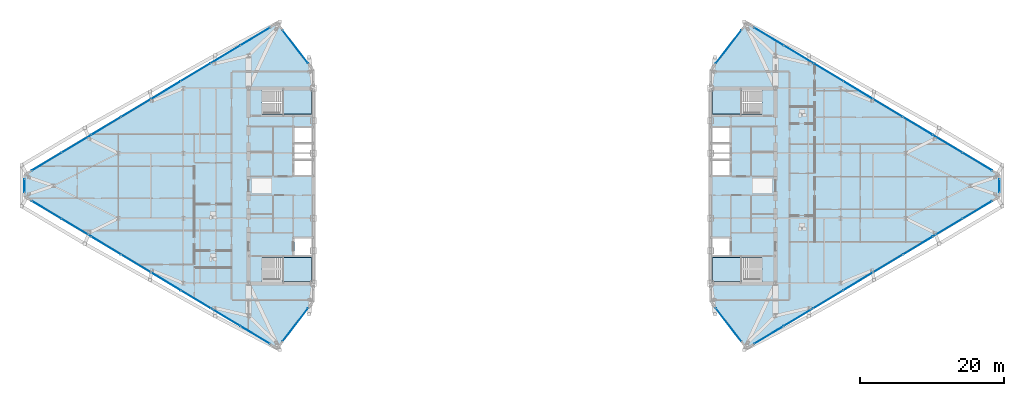
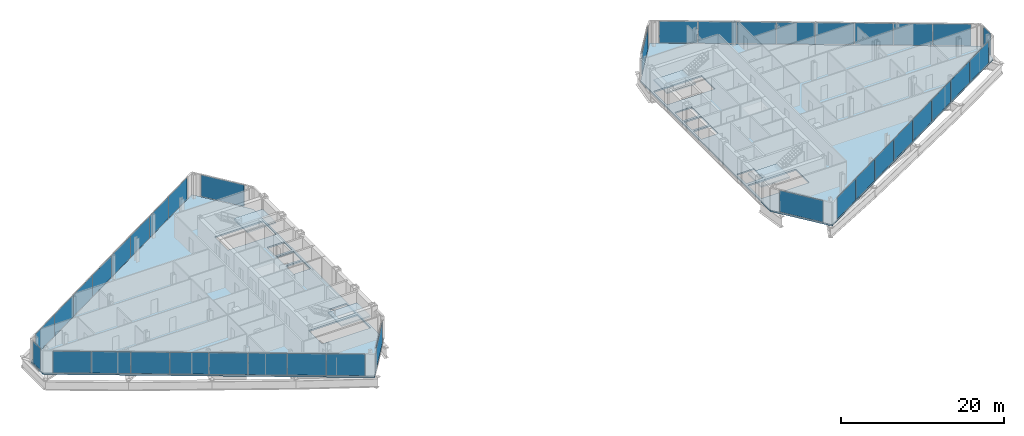
# One storey, part 20 of 29: 38 plates, 6 slabs, 14 elements without a shape of their own.
"""IFC4 building model written with IfcOpenShell, lengths in metres."""

from ifc_helpers import new_model, si_unit, direction, frame, origin, origin_2d, place, context, subcontext, project, spatial, polyline, rectangle, outline, extrude, source, transform, mapped, material, layer, layer_set, type_object, type_shapes, element, aggregate, save


model = new_model("IFC4")

# Units and contexts
model_context = context("Model", 3, precision=1e-05, world=origin(), true_north=direction((0.0, 1.0)))
body_context = subcontext(model_context, "Body", "Model", "MODEL_VIEW")
ifc_project = project(units=[si_unit("LENGTHUNIT", "METRE"), si_unit("AREAUNIT", "SQUARE_METRE"), si_unit("VOLUMEUNIT", "CUBIC_METRE"), si_unit("PLANEANGLEUNIT", "RADIAN"), si_unit("MASSUNIT", "GRAM", prefix="KILO")], contexts=[model_context])

# Site, building, storey
site_placement = place(None, origin())
site = spatial("IfcSite", under=ifc_project, at=site_placement, CompositionType="ELEMENT")
building_placement = place(site_placement, origin())
building = spatial("IfcBuilding", under=site, at=building_placement, Name="Seokmaru Belvedere", CompositionType="ELEMENT")
storey_placement = place(building_placement, frame((0.0, 0.0, 195.89990234375)))
storey = spatial("IfcBuildingStorey", under=building, at=storey_placement, Name="L52", CompositionType="ELEMENT", Elevation=195.89990234375)

# Stair, slab
ifc_material_1 = material(Name="Concrete C40 (40 MPa)", Category="concrete")
stair_type = type_object("IfcStairType", Name="Typical Tower Core Dog-Leg Stair 3600", PredefinedType="TWO_STRAIGHT_RUN_STAIR", material=ifc_material_1)
stair_1_placement = place(storey_placement, origin())
stair_1 = element("IfcStair", 1, at=stair_1_placement, inside=storey, type_object=stair_type, Name="L52 Special Escape Stair ST-W1", PredefinedType="TWO_STRAIGHT_RUN_STAIR")
ifc_layer_1 = layer(ifc_material_1, 0.199951171875)
ifc_layer_set_1 = layer_set([ifc_layer_1], Name="Concrete C40 (40 MPa)")
slab_type_1 = type_object("IfcSlabType", Name="Reinforced Concrete Stair Landing Slab 200", PredefinedType="LANDING", material=ifc_layer_set_1)
slab_1_placement = place(storey_placement, frame((0.0, 0.0, 1.60009765625)))
slab_1 = element("IfcSlab", 2, at=slab_1_placement, type_object=slab_type_1, Name="ST-W1 landing 1", PredefinedType="LANDING", context=body_context, shape_type="SweptSolid", body=[
    extrude(outline(polyline([(-31.8798828125, -13.239990234375), (-27.760009765625, -13.239990234375), (-27.760009765625, -9.949951171875), (-31.8798828125, -9.949951171875), (-31.8798828125, -13.239990234375)])), origin(), (0.0, 0.0, 1.0), 0.199951171875),
])
aggregate(stair_1, [slab_1])

stair_2_placement = place(storey_placement, origin())
stair_2 = element("IfcStair", 3, at=stair_2_placement, inside=storey, type_object=stair_type, Name="L52 Special Escape Stair ST-W2", PredefinedType="TWO_STRAIGHT_RUN_STAIR")
slab_2_placement = place(storey_placement, frame((0.0, 0.0, 1.60009765625)))
slab_2 = element("IfcSlab", 4, at=slab_2_placement, type_object=slab_type_1, Name="ST-W2 landing 1", PredefinedType="LANDING", context=body_context, shape_type="SweptSolid", body=[
    extrude(outline(polyline([(-31.8798828125, 9.949951171875), (-27.760009765625, 9.949951171875), (-27.760009765625, 13.239990234375), (-31.8798828125, 13.239990234375), (-31.8798828125, 9.949951171875)])), origin(), (0.0, 0.0, 1.0), 0.199951171875),
])
aggregate(stair_2, [slab_2])

stair_3_placement = place(storey_placement, origin())
stair_3 = element("IfcStair", 5, at=stair_3_placement, inside=storey, type_object=stair_type, Name="L52 Special Escape Stair ST-E1", PredefinedType="TWO_STRAIGHT_RUN_STAIR")
slab_3_placement = place(storey_placement, frame((0.0, 0.0, 1.60009765625)))
slab_3 = element("IfcSlab", 6, at=slab_3_placement, type_object=slab_type_1, Name="ST-E1 landing 1", PredefinedType="LANDING", context=body_context, shape_type="SweptSolid", body=[
    extrude(outline(polyline([(27.760009765625, -13.239990234375), (31.8798828125, -13.239990234375), (31.8798828125, -9.949951171875), (27.760009765625, -9.949951171875), (27.760009765625, -13.239990234375)])), origin(), (0.0, 0.0, 1.0), 0.199951171875),
])
aggregate(stair_3, [slab_3])

stair_4_placement = place(storey_placement, origin())
stair_4 = element("IfcStair", 7, at=stair_4_placement, inside=storey, type_object=stair_type, Name="L52 Special Escape Stair ST-E2", PredefinedType="TWO_STRAIGHT_RUN_STAIR")
slab_4_placement = place(storey_placement, frame((0.0, 0.0, 1.60009765625)))
slab_4 = element("IfcSlab", 8, at=slab_4_placement, type_object=slab_type_1, Name="ST-E2 landing 1", PredefinedType="LANDING", context=body_context, shape_type="SweptSolid", body=[
    extrude(outline(polyline([(27.760009765625, 9.949951171875), (31.8798828125, 9.949951171875), (31.8798828125, 13.239990234375), (27.760009765625, 13.239990234375), (27.760009765625, 9.949951171875)])), origin(), (0.0, 0.0, 1.0), 0.199951171875),
])
aggregate(stair_4, [slab_4])

# Slabs
ifc_layer_2 = layer(ifc_material_1, 0.219970703125)
ifc_layer_set_2 = layer_set([ifc_layer_2], Name="Concrete C40 (40 MPa)")
slab_type_2 = type_object("IfcSlabType", Name="Typical Tower Composite Floor Slab 220", PredefinedType="FLOOR", material=ifc_layer_set_2)
slab_5_placement = place(storey_placement, frame((0.0, 0.0, -0.219970703125)))
element("IfcSlab", 9, at=slab_5_placement, inside=storey, type_object=slab_type_2, Name="L52 West Leg Floor Slab", PredefinedType="FLOOR", context=body_context, shape_type="SweptSolid", body=[
    extrude(outline(polyline([(-27.5, -16.0), (-27.5, 16.0), (-32.5, 22.5), (-67.5, 1.5), (-67.5, -1.5), (-32.5, -22.5), (-27.5, -16.0)]), holes=[polyline([(-34.60009765625, -13.25), (-27.75, -13.25), (-27.75, -9.949951171875), (-34.60009765625, -9.949951171875), (-34.60009765625, -13.25)]), polyline([(-34.60009765625, 9.949951171875), (-27.75, 9.949951171875), (-27.75, 13.25), (-34.60009765625, 13.25), (-34.60009765625, 9.949951171875)]), polyline([(-30.14990234375, -9.550048828125), (-27.75, -9.550048828125), (-27.75, -7.25), (-30.14990234375, -7.25), (-30.14990234375, -9.550048828125)]), polyline([(-30.14990234375, 1.449951171875), (-27.75, 1.449951171875), (-27.75, 3.449951171875), (-30.14990234375, 3.449951171875), (-30.14990234375, 1.449951171875)]), polyline([(-30.14990234375, 3.75), (-27.75, 3.75), (-27.75, 5.75), (-30.14990234375, 5.75), (-30.14990234375, 3.75)]), polyline([(-30.14990234375, 6.050048828125), (-27.75, 6.050048828125), (-27.75, 8.050048828125), (-30.14990234375, 8.050048828125), (-30.14990234375, 6.050048828125)])]), origin(), (0.0, 0.0, 1.0), 0.219970703125),
])
slab_6_placement = place(storey_placement, frame((0.0, 0.0, -0.219970703125)))
element("IfcSlab", 10, at=slab_6_placement, inside=storey, type_object=slab_type_2, Name="L52 East Leg Floor Slab", PredefinedType="FLOOR", context=body_context, shape_type="SweptSolid", body=[
    extrude(outline(polyline([(32.5, -22.5), (67.5, -1.5), (67.5, 1.5), (32.5, 22.5), (27.5, 16.0), (27.5, -16.0), (32.5, -22.5)]), holes=[polyline([(27.75, -13.25), (34.60009765625, -13.25), (34.60009765625, -9.949951171875), (27.75, -9.949951171875), (27.75, -13.25)]), polyline([(27.75, 9.949951171875), (34.60009765625, 9.949951171875), (34.60009765625, 13.25), (27.75, 13.25), (27.75, 9.949951171875)]), polyline([(27.75, -9.550048828125), (30.14990234375, -9.550048828125), (30.14990234375, -7.25), (27.75, -7.25), (27.75, -9.550048828125)]), polyline([(27.75, 1.449951171875), (30.14990234375, 1.449951171875), (30.14990234375, 3.449951171875), (27.75, 3.449951171875), (27.75, 1.449951171875)]), polyline([(27.75, 3.75), (30.14990234375, 3.75), (30.14990234375, 5.75), (27.75, 5.75), (27.75, 3.75)]), polyline([(27.75, 6.050048828125), (30.14990234375, 6.050048828125), (30.14990234375, 8.050048828125), (27.75, 8.050048828125), (27.75, 6.050048828125)])]), origin(), (0.0, 0.0, 1.0), 0.219970703125),
])

# Curtain wall, plate
ifc_material_2 = material(Name="Bronze Triple Insulating Glass", Category="glass")
ifc_layer_3 = layer(ifc_material_2, 0.179931640625)
ifc_layer_set_3 = layer_set([ifc_layer_3], Name="Bronze Triple Insulating Glass")
curtain_wall_type = type_object("IfcCurtainWallType", Name="High-Rise Wind-Corner Curtain Wall System CW-5", PredefinedType="NOTDEFINED", material=ifc_layer_set_3)
curtain_wall_1_placement = place(storey_placement, origin())
curtain_wall_1 = element("IfcCurtainWall", 11, at=curtain_wall_1_placement, inside=storey, type_object=curtain_wall_type, Name="L52 Curtain Wall WF2", PredefinedType="NOTDEFINED")
ifc_layer_4 = layer(ifc_material_2, 0.035888671875)
ifc_layer_set_4 = layer_set([ifc_layer_4], Name="Bronze Triple Insulating Glass")
plate_type = type_object("IfcPlateType", Name="Bronze Triple Vision Glazing Panel 36", PredefinedType="CURTAIN_PANEL", material=ifc_layer_set_4)
shared_shape_1 = source(origin(), body_context, "Body", "SweptSolid", [
    extrude(rectangle(XDim=5.7705078125, YDim=0.035888671875, at=origin_2d()), origin(), (0.0, 0.0, 1.0), 3.25),
])
plate_1_placement = place(storey_placement, frame((-30.0, 19.25, 0.065185546875), z_axis=(0.0, 0.0, 1.0), x_axis=(-0.609701187349, 0.792631353244, 0.0)))
plate_1 = element("IfcPlate", 12, at=plate_1_placement, type_object=plate_type, Name="CW:L52:WF2 Glazing Panel 1-1", PredefinedType="CURTAIN_PANEL", context=body_context, shape_type="MappedRepresentation", body=[
    mapped(shared_shape_1, transform((0.0, 0.0, 0.0), scale=1.0)),
])
aggregate(curtain_wall_1, [plate_1])

curtain_wall_2_placement = place(storey_placement, origin())
curtain_wall_2 = element("IfcCurtainWall", 13, at=curtain_wall_2_placement, inside=storey, type_object=curtain_wall_type, Name="L52 Curtain Wall WF6", PredefinedType="NOTDEFINED")
plate_2_placement = place(storey_placement, frame((-30.0, -19.25, 0.065185546875), z_axis=(0.0, 0.0, 1.0), x_axis=(0.609701187349, 0.792631353244, 0.0)))
plate_2 = element("IfcPlate", 14, at=plate_2_placement, type_object=plate_type, Name="CW:L52:WF6 Glazing Panel 1-1", PredefinedType="CURTAIN_PANEL", context=body_context, shape_type="MappedRepresentation", body=[
    mapped(shared_shape_1, transform((0.0, 0.0, 0.0), scale=1.0)),
])
aggregate(curtain_wall_2, [plate_2])

curtain_wall_3_placement = place(storey_placement, origin())
curtain_wall_3 = element("IfcCurtainWall", 15, at=curtain_wall_3_placement, inside=storey, type_object=curtain_wall_type, Name="L52 Curtain Wall EF4", PredefinedType="NOTDEFINED")
plate_3_placement = place(storey_placement, frame((30.0, 19.25, 0.065185546875), z_axis=(0.0, 0.0, 1.0), x_axis=(-0.609701187349, -0.792631353244, 0.0)))
plate_3 = element("IfcPlate", 16, at=plate_3_placement, type_object=plate_type, Name="CW:L52:EF4 Glazing Panel 1-1", PredefinedType="CURTAIN_PANEL", context=body_context, shape_type="MappedRepresentation", body=[
    mapped(shared_shape_1, transform((0.0, 0.0, 0.0), scale=1.0)),
])
aggregate(curtain_wall_3, [plate_3])

curtain_wall_4_placement = place(storey_placement, origin())
curtain_wall_4 = element("IfcCurtainWall", 17, at=curtain_wall_4_placement, inside=storey, type_object=curtain_wall_type, Name="L52 Curtain Wall EF6", PredefinedType="NOTDEFINED")
plate_4_placement = place(storey_placement, frame((30.0, -19.25, 0.065185546875), z_axis=(0.0, 0.0, 1.0), x_axis=(0.609701187349, -0.792631353244, 0.0)))
plate_4 = element("IfcPlate", 18, at=plate_4_placement, type_object=plate_type, Name="CW:L52:EF6 Glazing Panel 1-1", PredefinedType="CURTAIN_PANEL", context=body_context, shape_type="MappedRepresentation", body=[
    mapped(shared_shape_1, transform((0.0, 0.0, 0.0), scale=1.0)),
])
aggregate(curtain_wall_4, [plate_4])

# Curtain wall, plates
curtain_wall_5_placement = place(storey_placement, origin())
curtain_wall_5 = element("IfcCurtainWall", 19, at=curtain_wall_5_placement, inside=storey, type_object=curtain_wall_type, Name="L52 Curtain Wall WF3", PredefinedType="NOTDEFINED")
shared_shape_2 = source(origin(), body_context, "Body", "SweptSolid", [
    extrude(rectangle(XDim=4.717041015625, YDim=0.035888671875, at=origin_2d()), origin(), (0.0, 0.0, 1.0), 3.25),
])
plate_5_placement = place(storey_placement, frame((-35.564208984375, 20.661376953125, 0.065185546875), z_axis=(0.0, 0.0, 1.0), x_axis=(-0.85749343335, -0.514494909364, 0.0)))
plate_5 = element("IfcPlate", 20, at=plate_5_placement, type_object=plate_type, Name="CW:L52:WF3 Glazing Panel 1-1", PredefinedType="CURTAIN_PANEL", context=body_context, shape_type="MappedRepresentation", body=[
    mapped(shared_shape_2, transform((0.0, 0.0, 0.0), scale=1.0)),
])
plate_6_placement = place(storey_placement, frame((-64.435791015625, 3.338623046875, 0.065185546875), z_axis=(0.0, 0.0, 1.0), x_axis=(-0.85749343335, -0.514494909364, 0.0)))
plate_6 = element("IfcPlate", 21, at=plate_6_placement, type_object=plate_type, Name="CW:L52:WF3 Glazing Panel 8-1", PredefinedType="CURTAIN_PANEL", context=body_context, shape_type="MappedRepresentation", body=[
    mapped(shared_shape_2, transform((0.0, 0.0, 0.0), scale=1.0)),
])

curtain_wall_6_placement = place(storey_placement, origin())
curtain_wall_6 = element("IfcCurtainWall", 22, at=curtain_wall_6_placement, inside=storey, type_object=curtain_wall_type, Name="L52 Curtain Wall WF5", PredefinedType="NOTDEFINED")
plate_7_placement = place(storey_placement, frame((-64.435791015625, -3.338623046875, 0.065185546875), z_axis=(0.0, 0.0, 1.0), x_axis=(0.85749343335, -0.514494909364, 0.0)))
plate_7 = element("IfcPlate", 23, at=plate_7_placement, type_object=plate_type, Name="CW:L52:WF5 Glazing Panel 1-1", PredefinedType="CURTAIN_PANEL", context=body_context, shape_type="MappedRepresentation", body=[
    mapped(shared_shape_2, transform((0.0, 0.0, 0.0), scale=1.0)),
])
plate_8_placement = place(storey_placement, frame((-35.564208984375, -20.661376953125, 0.065185546875), z_axis=(0.0, 0.0, 1.0), x_axis=(0.85749343335, -0.514494909364, 0.0)))
plate_8 = element("IfcPlate", 24, at=plate_8_placement, type_object=plate_type, Name="CW:L52:WF5 Glazing Panel 8-1", PredefinedType="CURTAIN_PANEL", context=body_context, shape_type="MappedRepresentation", body=[
    mapped(shared_shape_2, transform((0.0, 0.0, 0.0), scale=1.0)),
])

curtain_wall_7_placement = place(storey_placement, origin())
curtain_wall_7 = element("IfcCurtainWall", 25, at=curtain_wall_7_placement, inside=storey, type_object=curtain_wall_type, Name="L52 Curtain Wall EF1", PredefinedType="NOTDEFINED")
plate_9_placement = place(storey_placement, frame((35.564208984375, -20.661376953125, 0.065185546875), z_axis=(0.0, 0.0, 1.0), x_axis=(0.85749343335, 0.514494909364, 0.0)))
plate_9 = element("IfcPlate", 26, at=plate_9_placement, type_object=plate_type, Name="CW:L52:EF1 Glazing Panel 1-1", PredefinedType="CURTAIN_PANEL", context=body_context, shape_type="MappedRepresentation", body=[
    mapped(shared_shape_2, transform((0.0, 0.0, 0.0), scale=1.0)),
])
plate_10_placement = place(storey_placement, frame((64.435791015625, -3.338623046875, 0.065185546875), z_axis=(0.0, 0.0, 1.0), x_axis=(0.85749343335, 0.514494909364, 0.0)))
plate_10 = element("IfcPlate", 27, at=plate_10_placement, type_object=plate_type, Name="CW:L52:EF1 Glazing Panel 8-1", PredefinedType="CURTAIN_PANEL", context=body_context, shape_type="MappedRepresentation", body=[
    mapped(shared_shape_2, transform((0.0, 0.0, 0.0), scale=1.0)),
])

curtain_wall_8_placement = place(storey_placement, origin())
curtain_wall_8 = element("IfcCurtainWall", 28, at=curtain_wall_8_placement, inside=storey, type_object=curtain_wall_type, Name="L52 Curtain Wall EF3", PredefinedType="NOTDEFINED")
plate_11_placement = place(storey_placement, frame((64.435791015625, 3.338623046875, 0.065185546875), z_axis=(0.0, 0.0, 1.0), x_axis=(-0.85749343335, 0.514494909364, 0.0)))
plate_11 = element("IfcPlate", 29, at=plate_11_placement, type_object=plate_type, Name="CW:L52:EF3 Glazing Panel 1-1", PredefinedType="CURTAIN_PANEL", context=body_context, shape_type="MappedRepresentation", body=[
    mapped(shared_shape_2, transform((0.0, 0.0, 0.0), scale=1.0)),
])
plate_12_placement = place(storey_placement, frame((35.564208984375, 20.661376953125, 0.065185546875), z_axis=(0.0, 0.0, 1.0), x_axis=(-0.85749343335, 0.514494909364, 0.0)))
plate_12 = element("IfcPlate", 30, at=plate_12_placement, type_object=plate_type, Name="CW:L52:EF3 Glazing Panel 8-1", PredefinedType="CURTAIN_PANEL", context=body_context, shape_type="MappedRepresentation", body=[
    mapped(shared_shape_2, transform((0.0, 0.0, 0.0), scale=1.0)),
])

# Plate
shared_shape_3 = source(origin(), body_context, "Body", "SweptSolid", [
    extrude(rectangle(XDim=4.74951171875, YDim=0.035888671875, at=origin_2d()), origin(), (0.0, 0.0, 1.0), 3.25),
])
plate_13_placement = place(storey_placement, frame((-39.6787109375, 18.192626953125, 0.065185546875), z_axis=(0.0, 0.0, 1.0), x_axis=(-0.85749343335, -0.514494909364, 0.0)))
plate_13 = element("IfcPlate", 31, at=plate_13_placement, type_object=plate_type, Name="CW:L52:WF3 Glazing Panel 2-1", PredefinedType="CURTAIN_PANEL", context=body_context, shape_type="MappedRepresentation", body=[
    mapped(shared_shape_3, transform((0.0, 0.0, 0.0), scale=1.0)),
])

plate_14_placement = place(storey_placement, frame((-43.807373046875, 15.715576171875, 0.065185546875), z_axis=(0.0, 0.0, 1.0), x_axis=(-0.85749343335, -0.514494909364, 0.0)))
plate_14 = element("IfcPlate", 32, at=plate_14_placement, type_object=plate_type, Name="CW:L52:WF3 Glazing Panel 3-1", PredefinedType="CURTAIN_PANEL", context=body_context, shape_type="MappedRepresentation", body=[
    mapped(shared_shape_3, transform((0.0, 0.0, 0.0), scale=1.0)),
])

plate_15_placement = place(storey_placement, frame((-47.935791015625, 13.238525390625, 0.065185546875), z_axis=(0.0, 0.0, 1.0), x_axis=(-0.85749343335, -0.514494909364, 0.0)))
plate_15 = element("IfcPlate", 33, at=plate_15_placement, type_object=plate_type, Name="CW:L52:WF3 Glazing Panel 4-1", PredefinedType="CURTAIN_PANEL", context=body_context, shape_type="MappedRepresentation", body=[
    mapped(shared_shape_3, transform((0.0, 0.0, 0.0), scale=1.0)),
])

plate_16_placement = place(storey_placement, frame((-52.064208984375, 10.761474609375, 0.065185546875), z_axis=(0.0, 0.0, 1.0), x_axis=(-0.85749343335, -0.514494909364, 0.0)))
plate_16 = element("IfcPlate", 34, at=plate_16_placement, type_object=plate_type, Name="CW:L52:WF3 Glazing Panel 5-1", PredefinedType="CURTAIN_PANEL", context=body_context, shape_type="MappedRepresentation", body=[
    mapped(shared_shape_3, transform((0.0, 0.0, 0.0), scale=1.0)),
])

plate_17_placement = place(storey_placement, frame((-56.192626953125, 8.284423828125, 0.065185546875), z_axis=(0.0, 0.0, 1.0), x_axis=(-0.85749343335, -0.514494909364, 0.0)))
plate_17 = element("IfcPlate", 35, at=plate_17_placement, type_object=plate_type, Name="CW:L52:WF3 Glazing Panel 6-1", PredefinedType="CURTAIN_PANEL", context=body_context, shape_type="MappedRepresentation", body=[
    mapped(shared_shape_3, transform((0.0, 0.0, 0.0), scale=1.0)),
])

plate_18_placement = place(storey_placement, frame((-60.3212890625, 5.807373046875, 0.065185546875), z_axis=(0.0, 0.0, 1.0), x_axis=(-0.85749343335, -0.514494909364, 0.0)))
plate_18 = element("IfcPlate", 36, at=plate_18_placement, type_object=plate_type, Name="CW:L52:WF3 Glazing Panel 7-1", PredefinedType="CURTAIN_PANEL", context=body_context, shape_type="MappedRepresentation", body=[
    mapped(shared_shape_3, transform((0.0, 0.0, 0.0), scale=1.0)),
])

aggregate(curtain_wall_5, [plate_5, plate_13, plate_14, plate_15, plate_16, plate_17, plate_18, plate_6])

plate_19_placement = place(storey_placement, frame((-60.3212890625, -5.807373046875, 0.065185546875), z_axis=(0.0, 0.0, 1.0), x_axis=(0.85749343335, -0.514494909364, 0.0)))
plate_19 = element("IfcPlate", 37, at=plate_19_placement, type_object=plate_type, Name="CW:L52:WF5 Glazing Panel 2-1", PredefinedType="CURTAIN_PANEL", context=body_context, shape_type="MappedRepresentation", body=[
    mapped(shared_shape_3, transform((0.0, 0.0, 0.0), scale=1.0)),
])

plate_20_placement = place(storey_placement, frame((-56.192626953125, -8.284423828125, 0.065185546875), z_axis=(0.0, 0.0, 1.0), x_axis=(0.85749343335, -0.514494909364, 0.0)))
plate_20 = element("IfcPlate", 38, at=plate_20_placement, type_object=plate_type, Name="CW:L52:WF5 Glazing Panel 3-1", PredefinedType="CURTAIN_PANEL", context=body_context, shape_type="MappedRepresentation", body=[
    mapped(shared_shape_3, transform((0.0, 0.0, 0.0), scale=1.0)),
])

plate_21_placement = place(storey_placement, frame((-52.064208984375, -10.761474609375, 0.065185546875), z_axis=(0.0, 0.0, 1.0), x_axis=(0.85749343335, -0.514494909364, 0.0)))
plate_21 = element("IfcPlate", 39, at=plate_21_placement, type_object=plate_type, Name="CW:L52:WF5 Glazing Panel 4-1", PredefinedType="CURTAIN_PANEL", context=body_context, shape_type="MappedRepresentation", body=[
    mapped(shared_shape_3, transform((0.0, 0.0, 0.0), scale=1.0)),
])

plate_22_placement = place(storey_placement, frame((-47.935791015625, -13.238525390625, 0.065185546875), z_axis=(0.0, 0.0, 1.0), x_axis=(0.85749343335, -0.514494909364, 0.0)))
plate_22 = element("IfcPlate", 40, at=plate_22_placement, type_object=plate_type, Name="CW:L52:WF5 Glazing Panel 5-1", PredefinedType="CURTAIN_PANEL", context=body_context, shape_type="MappedRepresentation", body=[
    mapped(shared_shape_3, transform((0.0, 0.0, 0.0), scale=1.0)),
])

plate_23_placement = place(storey_placement, frame((-43.807373046875, -15.715576171875, 0.065185546875), z_axis=(0.0, 0.0, 1.0), x_axis=(0.85749343335, -0.514494909364, 0.0)))
plate_23 = element("IfcPlate", 41, at=plate_23_placement, type_object=plate_type, Name="CW:L52:WF5 Glazing Panel 6-1", PredefinedType="CURTAIN_PANEL", context=body_context, shape_type="MappedRepresentation", body=[
    mapped(shared_shape_3, transform((0.0, 0.0, 0.0), scale=1.0)),
])

plate_24_placement = place(storey_placement, frame((-39.6787109375, -18.192626953125, 0.065185546875), z_axis=(0.0, 0.0, 1.0), x_axis=(0.85749343335, -0.514494909364, 0.0)))
plate_24 = element("IfcPlate", 42, at=plate_24_placement, type_object=plate_type, Name="CW:L52:WF5 Glazing Panel 7-1", PredefinedType="CURTAIN_PANEL", context=body_context, shape_type="MappedRepresentation", body=[
    mapped(shared_shape_3, transform((0.0, 0.0, 0.0), scale=1.0)),
])

aggregate(curtain_wall_6, [plate_7, plate_19, plate_20, plate_21, plate_22, plate_23, plate_24, plate_8])

plate_25_placement = place(storey_placement, frame((39.6787109375, -18.192626953125, 0.065185546875), z_axis=(0.0, 0.0, 1.0), x_axis=(0.85749343335, 0.514494909364, 0.0)))
plate_25 = element("IfcPlate", 43, at=plate_25_placement, type_object=plate_type, Name="CW:L52:EF1 Glazing Panel 2-1", PredefinedType="CURTAIN_PANEL", context=body_context, shape_type="MappedRepresentation", body=[
    mapped(shared_shape_3, transform((0.0, 0.0, 0.0), scale=1.0)),
])

plate_26_placement = place(storey_placement, frame((43.807373046875, -15.715576171875, 0.065185546875), z_axis=(0.0, 0.0, 1.0), x_axis=(0.85749343335, 0.514494909364, 0.0)))
plate_26 = element("IfcPlate", 44, at=plate_26_placement, type_object=plate_type, Name="CW:L52:EF1 Glazing Panel 3-1", PredefinedType="CURTAIN_PANEL", context=body_context, shape_type="MappedRepresentation", body=[
    mapped(shared_shape_3, transform((0.0, 0.0, 0.0), scale=1.0)),
])

plate_27_placement = place(storey_placement, frame((47.935791015625, -13.238525390625, 0.065185546875), z_axis=(0.0, 0.0, 1.0), x_axis=(0.85749343335, 0.514494909364, 0.0)))
plate_27 = element("IfcPlate", 45, at=plate_27_placement, type_object=plate_type, Name="CW:L52:EF1 Glazing Panel 4-1", PredefinedType="CURTAIN_PANEL", context=body_context, shape_type="MappedRepresentation", body=[
    mapped(shared_shape_3, transform((0.0, 0.0, 0.0), scale=1.0)),
])

plate_28_placement = place(storey_placement, frame((52.064208984375, -10.761474609375, 0.065185546875), z_axis=(0.0, 0.0, 1.0), x_axis=(0.85749343335, 0.514494909364, 0.0)))
plate_28 = element("IfcPlate", 46, at=plate_28_placement, type_object=plate_type, Name="CW:L52:EF1 Glazing Panel 5-1", PredefinedType="CURTAIN_PANEL", context=body_context, shape_type="MappedRepresentation", body=[
    mapped(shared_shape_3, transform((0.0, 0.0, 0.0), scale=1.0)),
])

plate_29_placement = place(storey_placement, frame((56.192626953125, -8.284423828125, 0.065185546875), z_axis=(0.0, 0.0, 1.0), x_axis=(0.85749343335, 0.514494909364, 0.0)))
plate_29 = element("IfcPlate", 47, at=plate_29_placement, type_object=plate_type, Name="CW:L52:EF1 Glazing Panel 6-1", PredefinedType="CURTAIN_PANEL", context=body_context, shape_type="MappedRepresentation", body=[
    mapped(shared_shape_3, transform((0.0, 0.0, 0.0), scale=1.0)),
])

plate_30_placement = place(storey_placement, frame((60.3212890625, -5.807373046875, 0.065185546875), z_axis=(0.0, 0.0, 1.0), x_axis=(0.85749343335, 0.514494909364, 0.0)))
plate_30 = element("IfcPlate", 48, at=plate_30_placement, type_object=plate_type, Name="CW:L52:EF1 Glazing Panel 7-1", PredefinedType="CURTAIN_PANEL", context=body_context, shape_type="MappedRepresentation", body=[
    mapped(shared_shape_3, transform((0.0, 0.0, 0.0), scale=1.0)),
])

aggregate(curtain_wall_7, [plate_9, plate_25, plate_26, plate_27, plate_28, plate_29, plate_30, plate_10])

plate_31_placement = place(storey_placement, frame((60.3212890625, 5.807373046875, 0.065185546875), z_axis=(0.0, 0.0, 1.0), x_axis=(-0.85749343335, 0.514494909364, 0.0)))
plate_31 = element("IfcPlate", 49, at=plate_31_placement, type_object=plate_type, Name="CW:L52:EF3 Glazing Panel 2-1", PredefinedType="CURTAIN_PANEL", context=body_context, shape_type="MappedRepresentation", body=[
    mapped(shared_shape_3, transform((0.0, 0.0, 0.0), scale=1.0)),
])

plate_32_placement = place(storey_placement, frame((56.192626953125, 8.284423828125, 0.065185546875), z_axis=(0.0, 0.0, 1.0), x_axis=(-0.85749343335, 0.514494909364, 0.0)))
plate_32 = element("IfcPlate", 50, at=plate_32_placement, type_object=plate_type, Name="CW:L52:EF3 Glazing Panel 3-1", PredefinedType="CURTAIN_PANEL", context=body_context, shape_type="MappedRepresentation", body=[
    mapped(shared_shape_3, transform((0.0, 0.0, 0.0), scale=1.0)),
])

plate_33_placement = place(storey_placement, frame((52.064208984375, 10.761474609375, 0.065185546875), z_axis=(0.0, 0.0, 1.0), x_axis=(-0.85749343335, 0.514494909364, 0.0)))
plate_33 = element("IfcPlate", 51, at=plate_33_placement, type_object=plate_type, Name="CW:L52:EF3 Glazing Panel 4-1", PredefinedType="CURTAIN_PANEL", context=body_context, shape_type="MappedRepresentation", body=[
    mapped(shared_shape_3, transform((0.0, 0.0, 0.0), scale=1.0)),
])

plate_34_placement = place(storey_placement, frame((47.935791015625, 13.238525390625, 0.065185546875), z_axis=(0.0, 0.0, 1.0), x_axis=(-0.85749343335, 0.514494909364, 0.0)))
plate_34 = element("IfcPlate", 52, at=plate_34_placement, type_object=plate_type, Name="CW:L52:EF3 Glazing Panel 5-1", PredefinedType="CURTAIN_PANEL", context=body_context, shape_type="MappedRepresentation", body=[
    mapped(shared_shape_3, transform((0.0, 0.0, 0.0), scale=1.0)),
])

plate_35_placement = place(storey_placement, frame((43.807373046875, 15.715576171875, 0.065185546875), z_axis=(0.0, 0.0, 1.0), x_axis=(-0.85749343335, 0.514494909364, 0.0)))
plate_35 = element("IfcPlate", 53, at=plate_35_placement, type_object=plate_type, Name="CW:L52:EF3 Glazing Panel 6-1", PredefinedType="CURTAIN_PANEL", context=body_context, shape_type="MappedRepresentation", body=[
    mapped(shared_shape_3, transform((0.0, 0.0, 0.0), scale=1.0)),
])

plate_36_placement = place(storey_placement, frame((39.6787109375, 18.192626953125, 0.065185546875), z_axis=(0.0, 0.0, 1.0), x_axis=(-0.85749343335, 0.514494909364, 0.0)))
plate_36 = element("IfcPlate", 54, at=plate_36_placement, type_object=plate_type, Name="CW:L52:EF3 Glazing Panel 7-1", PredefinedType="CURTAIN_PANEL", context=body_context, shape_type="MappedRepresentation", body=[
    mapped(shared_shape_3, transform((0.0, 0.0, 0.0), scale=1.0)),
])

aggregate(curtain_wall_8, [plate_11, plate_31, plate_32, plate_33, plate_34, plate_35, plate_36, plate_12])

# Curtain wall, plate
curtain_wall_9_placement = place(storey_placement, origin())
curtain_wall_9 = element("IfcCurtainWall", 55, at=curtain_wall_9_placement, inside=storey, type_object=curtain_wall_type, Name="L52 Curtain Wall WF4", PredefinedType="NOTDEFINED")
shared_shape_4 = source(origin(), body_context, "Body", "SweptSolid", [
    extrude(rectangle(XDim=1.77001953125, YDim=0.035888671875, at=origin_2d()), origin(), (0.0, 0.0, 1.0), 3.25),
])
type_shapes(plate_type, [shared_shape_1, shared_shape_2, shared_shape_3, shared_shape_4])
plate_37_placement = place(storey_placement, frame((-67.5, 0.0, 0.065185546875), z_axis=(0.0, 0.0, 1.0), x_axis=(0.0, -1.0, 0.0)))
plate_37 = element("IfcPlate", 56, at=plate_37_placement, type_object=plate_type, Name="CW:L52:WF4 Glazing Panel 1-1", PredefinedType="CURTAIN_PANEL", context=body_context, shape_type="MappedRepresentation", body=[
    mapped(shared_shape_4, transform((0.0, 0.0, 0.0), scale=1.0)),
])
aggregate(curtain_wall_9, [plate_37])

curtain_wall_10_placement = place(storey_placement, origin())
curtain_wall_10 = element("IfcCurtainWall", 57, at=curtain_wall_10_placement, inside=storey, type_object=curtain_wall_type, Name="L52 Curtain Wall EF2", PredefinedType="NOTDEFINED")
plate_38_placement = place(storey_placement, frame((67.5, 0.0, 0.065185546875), z_axis=(0.0, 0.0, 1.0), x_axis=(0.0, 1.0, 0.0)))
plate_38 = element("IfcPlate", 58, at=plate_38_placement, type_object=plate_type, Name="CW:L52:EF2 Glazing Panel 1-1", PredefinedType="CURTAIN_PANEL", context=body_context, shape_type="MappedRepresentation", body=[
    mapped(shared_shape_4, transform((0.0, 0.0, 0.0), scale=1.0)),
])
aggregate(curtain_wall_10, [plate_38])

save(model, "model.ifc")
